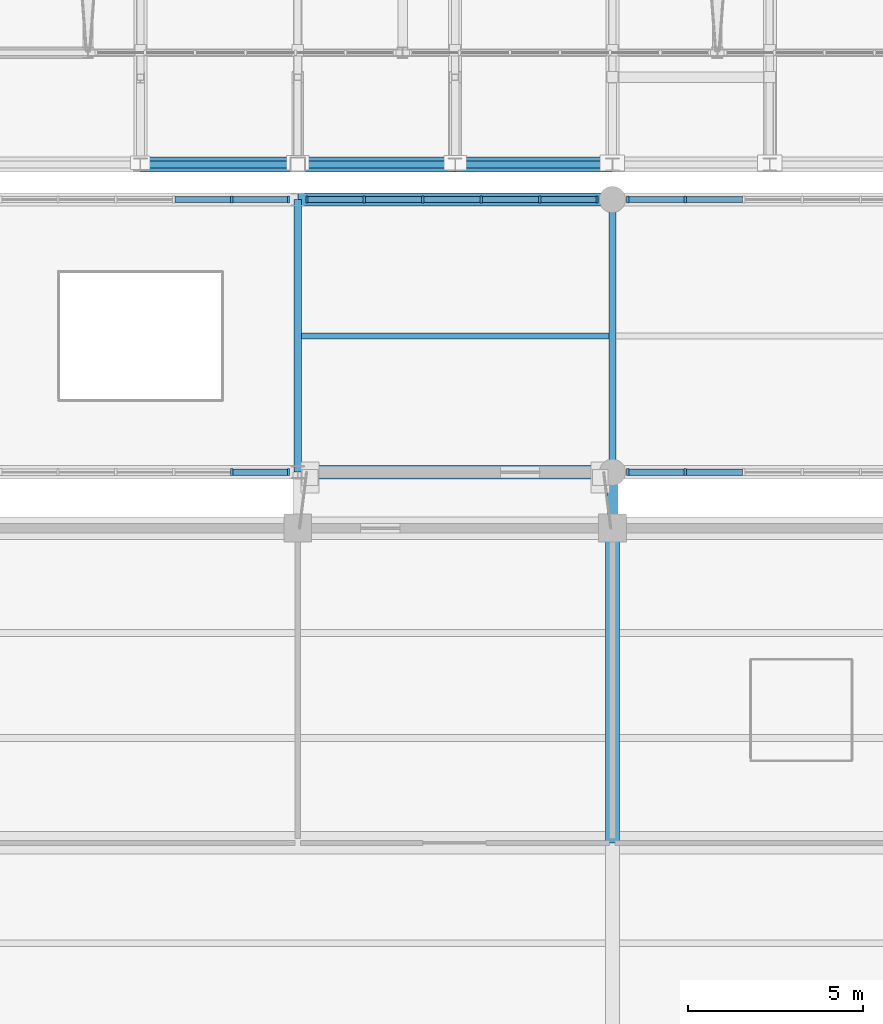
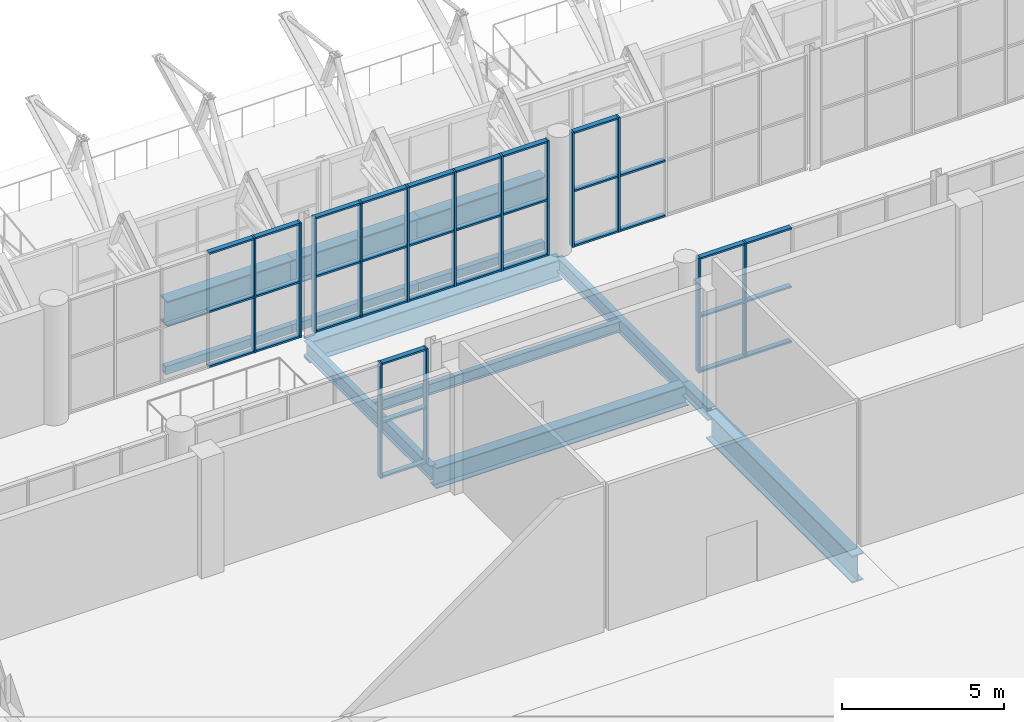
# One storey, part 39 of 134: 49 members, 13 beams, 5 elements without a shape of their own.
"""IFC4 building model written with IfcOpenShell, lengths in metres."""

from ifc_helpers import new_model, si_unit, direction, frame, origin, origin_2d, place, context, subcontext, project, spatial, rectangle, hollow_rectangle, i_section, extrude, material, layer, layer_set, material_profile, profile_set, type_object, element, aggregate, save


model = new_model("IFC4")

# Units and contexts
model_context = context("Model", 3, precision=1e-05, world=origin(), true_north=direction((0.0, 1.0)))
body_context = subcontext(model_context, "Body", "Model", "MODEL_VIEW")
ifc_project = project(units=[si_unit("LENGTHUNIT", "METRE"), si_unit("AREAUNIT", "SQUARE_METRE"), si_unit("VOLUMEUNIT", "CUBIC_METRE"), si_unit("PLANEANGLEUNIT", "RADIAN"), si_unit("MASSUNIT", "GRAM", prefix="KILO")], contexts=[model_context])

# Site, building, storey
site_placement = place(None, origin())
site = spatial("IfcSite", under=ifc_project, at=site_placement, CompositionType="ELEMENT")
building_placement = place(site_placement, origin())
building = spatial("IfcBuilding", under=site, at=building_placement, Name="Cazmaro Siding Exhibition Halls", CompositionType="ELEMENT")
storey_placement = place(building_placement, frame((0.0, 0.0, 12.0)))
storey = spatial("IfcBuildingStorey", under=building, at=storey_placement, Name="L02", CompositionType="ELEMENT", Elevation=12.0)

# Beams
ifc_material_1 = material(Name="Steel ASTM A992 Grade 50", Category="steel")
ifc_material_profile_1 = material_profile(ifc_material_1, i_section(OverallWidth=0.2099609375, OverallDepth=0.535888671875, WebThickness=0.010986328125, FlangeThickness=0.01708984375, at=origin_2d()), Name="W21X68")
ifc_profile_set_1 = profile_set([ifc_material_profile_1], Name="Steel ASTM A992 Grade 50")
beam_type_1 = type_object("IfcBeamType", Name="B-02", PredefinedType="BEAM", material=ifc_profile_set_1)
for number, where, z_axis, x_axis, name in (
    (1, (99.0, 55.199951171875, -0.488037109375), (0.0, 1.0, 0.0), (-1.0, 0.0, 0.0), "Beam B-02 BM-1706"),
    (2, (108.0, 55.199951171875, -0.488037109375), (0.0, 1.0, 0.0), (-1.0, 0.0, 0.0), "Beam B-02 BM-1709"),
):
    element("IfcBeam", number, at=place(storey_placement, frame(where, z_axis=z_axis, x_axis=x_axis)), inside=storey, type_object=beam_type_1, Name=name, PredefinedType="BEAM", context=body_context, shape_type="SweptSolid", body=[
        extrude(i_section(OverallWidth=0.2099609375, OverallDepth=0.535888671875, WebThickness=0.010986328125, FlangeThickness=0.01708984375, at=origin_2d()), origin(), (0.0, 0.0, 1.0), 7.800048828125),
    ])
ifc_material_2 = material(Name="Steel ASTM A992 Grade 50", Category="steel")
ifc_material_profile_2 = material_profile(ifc_material_2, i_section(OverallWidth=0.279052734375, OverallDepth=0.4619140625, WebThickness=0.010986328125, FlangeThickness=0.01708984375, at=origin_2d()), Name="W18X76")
ifc_profile_set_2 = profile_set([ifc_material_profile_2], Name="Steel ASTM A992 Grade 50")
beam_type_2 = type_object("IfcBeamType", Name="B-03", PredefinedType="BEAM", material=ifc_profile_set_2)
beam_1_placement = place(storey_placement, frame((108.0, 53.60009765625, -0.450927734375), z_axis=(0.0, 1.0, 0.0), x_axis=(-1.0, 0.0, 0.0)))
element("IfcBeam", 3, at=beam_1_placement, inside=storey, type_object=beam_type_2, Name="Beam B-03 BM-2529", PredefinedType="BEAM", context=body_context, shape_type="SweptSolid", body=[
    extrude(i_section(OverallWidth=0.279052734375, OverallDepth=0.4619140625, WebThickness=0.010986328125, FlangeThickness=0.01708984375, at=origin_2d()), origin(), (0.0, 0.0, 1.0), 1.599853515625),
])

# Curtain wall, members
ifc_material_3 = material(Name="Anodized Bronze Aluminum and Solar-Control Low-E Glazing", Category="aluminium")
ifc_layer = layer(ifc_material_3, 0.199951171875)
ifc_layer_set = layer_set([ifc_layer], Name="Anodized Bronze Aluminum and Solar-Control Low-E Glazing")
curtain_wall_type = type_object("IfcCurtainWallType", Name="CWS-02", PredefinedType="USERDEFINED", material=ifc_layer_set)
curtain_wall_1_placement = place(storey_placement, origin())
curtain_wall_1 = element("IfcCurtainWall", 4, at=curtain_wall_1_placement, inside=storey, type_object=curtain_wall_type, Name="Glazed Curtain Wall CWS-02 CW-173", ObjectType="GLAZED CURTAIN WALL", PredefinedType="USERDEFINED")
ifc_material_4 = material(Name="Anodized Bronze Extruded Aluminum", Category="aluminium")
ifc_material_profile_3 = material_profile(ifc_material_4, rectangle(XDim=0.199951171875, YDim=0.06494140625, at=origin_2d()), Name="CWM-02")
ifc_profile_set_3 = profile_set([ifc_material_profile_3], Name="Anodized Bronze Extruded Aluminum")
member_type_1 = type_object("IfcMemberType", Name="CWM-02", PredefinedType="MULLION", material=ifc_profile_set_3)
member_1_placement = place(storey_placement, frame((97.112548828125, 55.199951171875, 0.0), z_axis=(0.0, 0.0, 1.0), x_axis=(0.0, 1.0, 0.0)))
member_1 = element("IfcMember", 5, at=member_1_placement, type_object=member_type_1, Name="CWS-02 mullion 5", PredefinedType="MULLION", context=body_context, shape_type="SweptSolid", body=[
    extrude(rectangle(XDim=0.199951171875, YDim=0.06494140625, at=origin_2d()), origin(), (0.0, 0.0, 1.0), 4.324951171875),
])
member_2_placement = place(storey_placement, frame((98.737548828125, 55.199951171875, 0.0), z_axis=(0.0, 0.0, 1.0), x_axis=(0.0, 1.0, 0.0)))
member_2 = element("IfcMember", 6, at=member_2_placement, type_object=member_type_1, Name="CWS-02 mullion 6", PredefinedType="MULLION", context=body_context, shape_type="SweptSolid", body=[
    extrude(rectangle(XDim=0.199951171875, YDim=0.06494140625, at=origin_2d()), origin(), (0.0, 0.0, 1.0), 4.324951171875),
])

curtain_wall_2_placement = place(storey_placement, origin())
curtain_wall_2 = element("IfcCurtainWall", 7, at=curtain_wall_2_placement, inside=storey, type_object=curtain_wall_type, Name="Glazed Curtain Wall CWS-02 CW-175", ObjectType="GLAZED CURTAIN WALL", PredefinedType="USERDEFINED")
member_3_placement = place(storey_placement, frame((98.737548828125, 63.0, 0.0), z_axis=(0.0, 0.0, 1.0), x_axis=(0.0, -1.0, 0.0)))
member_3 = element("IfcMember", 8, at=member_3_placement, type_object=member_type_1, Name="CWS-02 mullion 1", PredefinedType="MULLION", context=body_context, shape_type="SweptSolid", body=[
    extrude(rectangle(XDim=0.199951171875, YDim=0.06494140625, at=origin_2d()), origin(), (0.0, 0.0, 1.0), 4.324951171875),
])
member_4_placement = place(storey_placement, frame((97.112548828125, 63.0, 0.0), z_axis=(0.0, 0.0, 1.0), x_axis=(0.0, -1.0, 0.0)))
member_4 = element("IfcMember", 9, at=member_4_placement, type_object=member_type_1, Name="CWS-02 mullion 2", PredefinedType="MULLION", context=body_context, shape_type="SweptSolid", body=[
    extrude(rectangle(XDim=0.199951171875, YDim=0.06494140625, at=origin_2d()), origin(), (0.0, 0.0, 1.0), 4.324951171875),
])

curtain_wall_3_placement = place(storey_placement, origin())
curtain_wall_3 = element("IfcCurtainWall", 10, at=curtain_wall_3_placement, inside=storey, type_object=curtain_wall_type, Name="Glazed Curtain Wall CWS-02 CW-178", ObjectType="GLAZED CURTAIN WALL", PredefinedType="USERDEFINED")
member_5_placement = place(storey_placement, frame((107.5595703125, 63.0, 0.0), z_axis=(0.0, 0.0, 1.0), x_axis=(0.0, -1.0, 0.0)))
member_5 = element("IfcMember", 11, at=member_5_placement, type_object=member_type_1, Name="CWS-02 mullion 1", PredefinedType="MULLION", context=body_context, shape_type="SweptSolid", body=[
    extrude(rectangle(XDim=0.199951171875, YDim=0.06494140625, at=origin_2d()), origin(), (0.0, 0.0, 1.0), 4.324951171875),
])
member_6_placement = place(storey_placement, frame((105.919677734375, 63.0, 0.0), z_axis=(0.0, 0.0, 1.0), x_axis=(0.0, -1.0, 0.0)))
member_6 = element("IfcMember", 12, at=member_6_placement, type_object=member_type_1, Name="CWS-02 mullion 2", PredefinedType="MULLION", context=body_context, shape_type="SweptSolid", body=[
    extrude(rectangle(XDim=0.199951171875, YDim=0.06494140625, at=origin_2d()), origin(), (0.0, 0.0, 1.0), 4.324951171875),
])
member_7_placement = place(storey_placement, frame((104.247314453125, 63.0, 0.0), z_axis=(0.0, 0.0, 1.0), x_axis=(0.0, -1.0, 0.0)))
member_7 = element("IfcMember", 13, at=member_7_placement, type_object=member_type_1, Name="CWS-02 mullion 3", PredefinedType="MULLION", context=body_context, shape_type="SweptSolid", body=[
    extrude(rectangle(XDim=0.199951171875, YDim=0.06494140625, at=origin_2d()), origin(), (0.0, 0.0, 1.0), 4.324951171875),
])
member_8_placement = place(storey_placement, frame((102.57470703125, 63.0, 0.0), z_axis=(0.0, 0.0, 1.0), x_axis=(0.0, -1.0, 0.0)))
member_8 = element("IfcMember", 14, at=member_8_placement, type_object=member_type_1, Name="CWS-02 mullion 4", PredefinedType="MULLION", context=body_context, shape_type="SweptSolid", body=[
    extrude(rectangle(XDim=0.199951171875, YDim=0.06494140625, at=origin_2d()), origin(), (0.0, 0.0, 1.0), 4.324951171875),
])
member_9_placement = place(storey_placement, frame((100.90234375, 63.0, 0.0), z_axis=(0.0, 0.0, 1.0), x_axis=(0.0, -1.0, 0.0)))
member_9 = element("IfcMember", 15, at=member_9_placement, type_object=member_type_1, Name="CWS-02 mullion 5", PredefinedType="MULLION", context=body_context, shape_type="SweptSolid", body=[
    extrude(rectangle(XDim=0.199951171875, YDim=0.06494140625, at=origin_2d()), origin(), (0.0, 0.0, 1.0), 4.324951171875),
])
member_10_placement = place(storey_placement, frame((99.262451171875, 63.0, 0.0), z_axis=(0.0, 0.0, 1.0), x_axis=(0.0, -1.0, 0.0)))
member_10 = element("IfcMember", 16, at=member_10_placement, type_object=member_type_1, Name="CWS-02 mullion 6", PredefinedType="MULLION", context=body_context, shape_type="SweptSolid", body=[
    extrude(rectangle(XDim=0.199951171875, YDim=0.06494140625, at=origin_2d()), origin(), (0.0, 0.0, 1.0), 4.324951171875),
])

curtain_wall_4_placement = place(storey_placement, origin())
curtain_wall_4 = element("IfcCurtainWall", 17, at=curtain_wall_4_placement, inside=storey, type_object=curtain_wall_type, Name="Glazed Curtain Wall CWS-02 CW-182", ObjectType="GLAZED CURTAIN WALL", PredefinedType="USERDEFINED")
member_11_placement = place(storey_placement, frame((108.4404296875, 55.199951171875, 0.0), z_axis=(0.0, 0.0, 1.0), x_axis=(0.0, 1.0, 0.0)))
member_11 = element("IfcMember", 18, at=member_11_placement, type_object=member_type_1, Name="CWS-02 mullion 1", PredefinedType="MULLION", context=body_context, shape_type="SweptSolid", body=[
    extrude(rectangle(XDim=0.199951171875, YDim=0.06494140625, at=origin_2d()), origin(), (0.0, 0.0, 1.0), 4.324951171875),
])
member_12_placement = place(storey_placement, frame((110.080322265625, 55.199951171875, 0.0), z_axis=(0.0, 0.0, 1.0), x_axis=(0.0, 1.0, 0.0)))
member_12 = element("IfcMember", 19, at=member_12_placement, type_object=member_type_1, Name="CWS-02 mullion 2", PredefinedType="MULLION", context=body_context, shape_type="SweptSolid", body=[
    extrude(rectangle(XDim=0.199951171875, YDim=0.06494140625, at=origin_2d()), origin(), (0.0, 0.0, 1.0), 4.324951171875),
])

curtain_wall_5_placement = place(storey_placement, origin())
curtain_wall_5 = element("IfcCurtainWall", 20, at=curtain_wall_5_placement, inside=storey, type_object=curtain_wall_type, Name="Glazed Curtain Wall CWS-02 CW-184", ObjectType="GLAZED CURTAIN WALL", PredefinedType="USERDEFINED")
member_13_placement = place(storey_placement, frame((110.080322265625, 63.0, 0.0), z_axis=(0.0, 0.0, 1.0), x_axis=(0.0, -1.0, 0.0)))
member_13 = element("IfcMember", 21, at=member_13_placement, type_object=member_type_1, Name="CWS-02 mullion 5", PredefinedType="MULLION", context=body_context, shape_type="SweptSolid", body=[
    extrude(rectangle(XDim=0.199951171875, YDim=0.06494140625, at=origin_2d()), origin(), (0.0, 0.0, 1.0), 4.324951171875),
])
member_14_placement = place(storey_placement, frame((108.4404296875, 63.0, 0.0), z_axis=(0.0, 0.0, 1.0), x_axis=(0.0, -1.0, 0.0)))
member_14 = element("IfcMember", 22, at=member_14_placement, type_object=member_type_1, Name="CWS-02 mullion 6", PredefinedType="MULLION", context=body_context, shape_type="SweptSolid", body=[
    extrude(rectangle(XDim=0.199951171875, YDim=0.06494140625, at=origin_2d()), origin(), (0.0, 0.0, 1.0), 4.324951171875),
])

# Member
ifc_material_5 = material(Name="Anodized Bronze Extruded Aluminum", Category="aluminium")
ifc_material_profile_4 = material_profile(ifc_material_5, rectangle(XDim=0.179931640625, YDim=0.06494140625, at=origin_2d()), Name="CWT-02")
ifc_profile_set_4 = profile_set([ifc_material_profile_4], Name="Anodized Bronze Extruded Aluminum")
member_type_2 = type_object("IfcMemberType", Name="CWT-02", PredefinedType="MULLION", material=ifc_profile_set_4)
member_15_placement = place(storey_placement, frame((97.14501953125, 55.199951171875, 0.032470703125), z_axis=(1.0, 0.0, 0.0), x_axis=(0.0, 1.0, 0.0)))
member_15 = element("IfcMember", 23, at=member_15_placement, type_object=member_type_2, Name="CWS-02 transom 5.1", ObjectType="TRANSOM", PredefinedType="USERDEFINED", context=body_context, shape_type="SweptSolid", body=[
    extrude(rectangle(XDim=0.179931640625, YDim=0.06494140625, at=origin_2d()), origin(), (0.0, 0.0, 1.0), 1.56005859375),
])

member_16_placement = place(storey_placement, frame((97.14501953125, 55.199951171875, 2.10009765625), z_axis=(1.0, 0.0, 0.0), x_axis=(0.0, 1.0, 0.0)))
member_16 = element("IfcMember", 24, at=member_16_placement, type_object=member_type_2, Name="CWS-02 transom 5.2", ObjectType="TRANSOM", PredefinedType="USERDEFINED", context=body_context, shape_type="SweptSolid", body=[
    extrude(rectangle(XDim=0.179931640625, YDim=0.06494140625, at=origin_2d()), origin(), (0.0, 0.0, 1.0), 1.56005859375),
])

member_17_placement = place(storey_placement, frame((97.14501953125, 55.199951171875, 4.29248046875), z_axis=(1.0, 0.0, 0.0), x_axis=(0.0, 1.0, 0.0)))
member_17 = element("IfcMember", 25, at=member_17_placement, type_object=member_type_2, Name="CWS-02 transom 5.3", ObjectType="TRANSOM", PredefinedType="USERDEFINED", context=body_context, shape_type="SweptSolid", body=[
    extrude(rectangle(XDim=0.179931640625, YDim=0.06494140625, at=origin_2d()), origin(), (0.0, 0.0, 1.0), 1.56005859375),
])

aggregate(curtain_wall_1, [member_1, member_2, member_15, member_16, member_17])

member_18_placement = place(storey_placement, frame((98.705078125, 63.0, 0.032470703125), z_axis=(-1.0, 0.0, 0.0), x_axis=(0.0, -1.0, 0.0)))
member_18 = element("IfcMember", 26, at=member_18_placement, type_object=member_type_2, Name="CWS-02 transom 1.1", ObjectType="TRANSOM", PredefinedType="USERDEFINED", context=body_context, shape_type="SweptSolid", body=[
    extrude(rectangle(XDim=0.179931640625, YDim=0.06494140625, at=origin_2d()), origin(), (0.0, 0.0, 1.0), 1.56005859375),
])

member_19_placement = place(storey_placement, frame((98.705078125, 63.0, 2.10009765625), z_axis=(-1.0, 0.0, 0.0), x_axis=(0.0, -1.0, 0.0)))
member_19 = element("IfcMember", 27, at=member_19_placement, type_object=member_type_2, Name="CWS-02 transom 1.2", ObjectType="TRANSOM", PredefinedType="USERDEFINED", context=body_context, shape_type="SweptSolid", body=[
    extrude(rectangle(XDim=0.179931640625, YDim=0.06494140625, at=origin_2d()), origin(), (0.0, 0.0, 1.0), 1.56005859375),
])

member_20_placement = place(storey_placement, frame((98.705078125, 63.0, 4.29248046875), z_axis=(-1.0, 0.0, 0.0), x_axis=(0.0, -1.0, 0.0)))
member_20 = element("IfcMember", 28, at=member_20_placement, type_object=member_type_2, Name="CWS-02 transom 1.3", ObjectType="TRANSOM", PredefinedType="USERDEFINED", context=body_context, shape_type="SweptSolid", body=[
    extrude(rectangle(XDim=0.179931640625, YDim=0.06494140625, at=origin_2d()), origin(), (0.0, 0.0, 1.0), 1.56005859375),
])

member_21_placement = place(storey_placement, frame((97.080078125, 63.0, 0.032470703125), z_axis=(-1.0, 0.0, 0.0), x_axis=(0.0, -1.0, 0.0)))
member_21 = element("IfcMember", 29, at=member_21_placement, type_object=member_type_2, Name="CWS-02 transom 2.1", ObjectType="TRANSOM", PredefinedType="USERDEFINED", context=body_context, shape_type="SweptSolid", body=[
    extrude(rectangle(XDim=0.179931640625, YDim=0.06494140625, at=origin_2d()), origin(), (0.0, 0.0, 1.0), 1.59228515625),
])

member_22_placement = place(storey_placement, frame((97.080078125, 63.0, 2.10009765625), z_axis=(-1.0, 0.0, 0.0), x_axis=(0.0, -1.0, 0.0)))
member_22 = element("IfcMember", 30, at=member_22_placement, type_object=member_type_2, Name="CWS-02 transom 2.2", ObjectType="TRANSOM", PredefinedType="USERDEFINED", context=body_context, shape_type="SweptSolid", body=[
    extrude(rectangle(XDim=0.179931640625, YDim=0.06494140625, at=origin_2d()), origin(), (0.0, 0.0, 1.0), 1.59228515625),
])

member_23_placement = place(storey_placement, frame((97.080078125, 63.0, 4.29248046875), z_axis=(-1.0, 0.0, 0.0), x_axis=(0.0, -1.0, 0.0)))
member_23 = element("IfcMember", 31, at=member_23_placement, type_object=member_type_2, Name="CWS-02 transom 2.3", ObjectType="TRANSOM", PredefinedType="USERDEFINED", context=body_context, shape_type="SweptSolid", body=[
    extrude(rectangle(XDim=0.179931640625, YDim=0.06494140625, at=origin_2d()), origin(), (0.0, 0.0, 1.0), 1.59228515625),
])

aggregate(curtain_wall_2, [member_3, member_4, member_18, member_19, member_20, member_21, member_22, member_23])

member_24_placement = place(storey_placement, frame((107.527099609375, 63.0, 0.032470703125), z_axis=(-1.0, 0.0, 0.0), x_axis=(0.0, -1.0, 0.0)))
member_24 = element("IfcMember", 32, at=member_24_placement, type_object=member_type_2, Name="CWS-02 transom 1.1", ObjectType="TRANSOM", PredefinedType="USERDEFINED", context=body_context, shape_type="SweptSolid", body=[
    extrude(rectangle(XDim=0.179931640625, YDim=0.06494140625, at=origin_2d()), origin(), (0.0, 0.0, 1.0), 1.574951171875),
])

member_25_placement = place(storey_placement, frame((107.527099609375, 63.0, 2.10009765625), z_axis=(-1.0, 0.0, 0.0), x_axis=(0.0, -1.0, 0.0)))
member_25 = element("IfcMember", 33, at=member_25_placement, type_object=member_type_2, Name="CWS-02 transom 1.2", ObjectType="TRANSOM", PredefinedType="USERDEFINED", context=body_context, shape_type="SweptSolid", body=[
    extrude(rectangle(XDim=0.179931640625, YDim=0.06494140625, at=origin_2d()), origin(), (0.0, 0.0, 1.0), 1.574951171875),
])

member_26_placement = place(storey_placement, frame((107.527099609375, 63.0, 4.29248046875), z_axis=(-1.0, 0.0, 0.0), x_axis=(0.0, -1.0, 0.0)))
member_26 = element("IfcMember", 34, at=member_26_placement, type_object=member_type_2, Name="CWS-02 transom 1.3", ObjectType="TRANSOM", PredefinedType="USERDEFINED", context=body_context, shape_type="SweptSolid", body=[
    extrude(rectangle(XDim=0.179931640625, YDim=0.06494140625, at=origin_2d()), origin(), (0.0, 0.0, 1.0), 1.574951171875),
])

member_27_placement = place(storey_placement, frame((105.88720703125, 63.0, 0.032470703125), z_axis=(-1.0, 0.0, 0.0), x_axis=(0.0, -1.0, 0.0)))
member_27 = element("IfcMember", 35, at=member_27_placement, type_object=member_type_2, Name="CWS-02 transom 2.1", ObjectType="TRANSOM", PredefinedType="USERDEFINED", context=body_context, shape_type="SweptSolid", body=[
    extrude(rectangle(XDim=0.179931640625, YDim=0.06494140625, at=origin_2d()), origin(), (0.0, 0.0, 1.0), 1.607421875),
])

member_28_placement = place(storey_placement, frame((105.88720703125, 63.0, 2.10009765625), z_axis=(-1.0, 0.0, 0.0), x_axis=(0.0, -1.0, 0.0)))
member_28 = element("IfcMember", 36, at=member_28_placement, type_object=member_type_2, Name="CWS-02 transom 2.2", ObjectType="TRANSOM", PredefinedType="USERDEFINED", context=body_context, shape_type="SweptSolid", body=[
    extrude(rectangle(XDim=0.179931640625, YDim=0.06494140625, at=origin_2d()), origin(), (0.0, 0.0, 1.0), 1.607421875),
])

member_29_placement = place(storey_placement, frame((105.88720703125, 63.0, 4.29248046875), z_axis=(-1.0, 0.0, 0.0), x_axis=(0.0, -1.0, 0.0)))
member_29 = element("IfcMember", 37, at=member_29_placement, type_object=member_type_2, Name="CWS-02 transom 2.3", ObjectType="TRANSOM", PredefinedType="USERDEFINED", context=body_context, shape_type="SweptSolid", body=[
    extrude(rectangle(XDim=0.179931640625, YDim=0.06494140625, at=origin_2d()), origin(), (0.0, 0.0, 1.0), 1.607421875),
])

member_30_placement = place(storey_placement, frame((104.214599609375, 63.0, 0.032470703125), z_axis=(-1.0, 0.0, 0.0), x_axis=(0.0, -1.0, 0.0)))
member_30 = element("IfcMember", 38, at=member_30_placement, type_object=member_type_2, Name="CWS-02 transom 3.1", ObjectType="TRANSOM", PredefinedType="USERDEFINED", context=body_context, shape_type="SweptSolid", body=[
    extrude(rectangle(XDim=0.179931640625, YDim=0.06494140625, at=origin_2d()), origin(), (0.0, 0.0, 1.0), 1.607177734375),
])

member_31_placement = place(storey_placement, frame((104.214599609375, 63.0, 2.10009765625), z_axis=(-1.0, 0.0, 0.0), x_axis=(0.0, -1.0, 0.0)))
member_31 = element("IfcMember", 39, at=member_31_placement, type_object=member_type_2, Name="CWS-02 transom 3.2", ObjectType="TRANSOM", PredefinedType="USERDEFINED", context=body_context, shape_type="SweptSolid", body=[
    extrude(rectangle(XDim=0.179931640625, YDim=0.06494140625, at=origin_2d()), origin(), (0.0, 0.0, 1.0), 1.607177734375),
])

member_32_placement = place(storey_placement, frame((104.214599609375, 63.0, 4.29248046875), z_axis=(-1.0, 0.0, 0.0), x_axis=(0.0, -1.0, 0.0)))
member_32 = element("IfcMember", 40, at=member_32_placement, type_object=member_type_2, Name="CWS-02 transom 3.3", ObjectType="TRANSOM", PredefinedType="USERDEFINED", context=body_context, shape_type="SweptSolid", body=[
    extrude(rectangle(XDim=0.179931640625, YDim=0.06494140625, at=origin_2d()), origin(), (0.0, 0.0, 1.0), 1.607177734375),
])

member_33_placement = place(storey_placement, frame((102.542236328125, 63.0, 0.032470703125), z_axis=(-1.0, 0.0, 0.0), x_axis=(0.0, -1.0, 0.0)))
member_33 = element("IfcMember", 41, at=member_33_placement, type_object=member_type_2, Name="CWS-02 transom 4.1", ObjectType="TRANSOM", PredefinedType="USERDEFINED", context=body_context, shape_type="SweptSolid", body=[
    extrude(rectangle(XDim=0.179931640625, YDim=0.06494140625, at=origin_2d()), origin(), (0.0, 0.0, 1.0), 1.607421875),
])

member_34_placement = place(storey_placement, frame((102.542236328125, 63.0, 2.10009765625), z_axis=(-1.0, 0.0, 0.0), x_axis=(0.0, -1.0, 0.0)))
member_34 = element("IfcMember", 42, at=member_34_placement, type_object=member_type_2, Name="CWS-02 transom 4.2", ObjectType="TRANSOM", PredefinedType="USERDEFINED", context=body_context, shape_type="SweptSolid", body=[
    extrude(rectangle(XDim=0.179931640625, YDim=0.06494140625, at=origin_2d()), origin(), (0.0, 0.0, 1.0), 1.607421875),
])

member_35_placement = place(storey_placement, frame((102.542236328125, 63.0, 4.29248046875), z_axis=(-1.0, 0.0, 0.0), x_axis=(0.0, -1.0, 0.0)))
member_35 = element("IfcMember", 43, at=member_35_placement, type_object=member_type_2, Name="CWS-02 transom 4.3", ObjectType="TRANSOM", PredefinedType="USERDEFINED", context=body_context, shape_type="SweptSolid", body=[
    extrude(rectangle(XDim=0.179931640625, YDim=0.06494140625, at=origin_2d()), origin(), (0.0, 0.0, 1.0), 1.607421875),
])

member_36_placement = place(storey_placement, frame((100.869873046875, 63.0, 0.032470703125), z_axis=(-1.0, 0.0, 0.0), x_axis=(0.0, -1.0, 0.0)))
member_36 = element("IfcMember", 44, at=member_36_placement, type_object=member_type_2, Name="CWS-02 transom 5.1", ObjectType="TRANSOM", PredefinedType="USERDEFINED", context=body_context, shape_type="SweptSolid", body=[
    extrude(rectangle(XDim=0.179931640625, YDim=0.06494140625, at=origin_2d()), origin(), (0.0, 0.0, 1.0), 1.574951171875),
])

member_37_placement = place(storey_placement, frame((100.869873046875, 63.0, 2.10009765625), z_axis=(-1.0, 0.0, 0.0), x_axis=(0.0, -1.0, 0.0)))
member_37 = element("IfcMember", 45, at=member_37_placement, type_object=member_type_2, Name="CWS-02 transom 5.2", ObjectType="TRANSOM", PredefinedType="USERDEFINED", context=body_context, shape_type="SweptSolid", body=[
    extrude(rectangle(XDim=0.179931640625, YDim=0.06494140625, at=origin_2d()), origin(), (0.0, 0.0, 1.0), 1.574951171875),
])

member_38_placement = place(storey_placement, frame((100.869873046875, 63.0, 4.29248046875), z_axis=(-1.0, 0.0, 0.0), x_axis=(0.0, -1.0, 0.0)))
member_38 = element("IfcMember", 46, at=member_38_placement, type_object=member_type_2, Name="CWS-02 transom 5.3", ObjectType="TRANSOM", PredefinedType="USERDEFINED", context=body_context, shape_type="SweptSolid", body=[
    extrude(rectangle(XDim=0.179931640625, YDim=0.06494140625, at=origin_2d()), origin(), (0.0, 0.0, 1.0), 1.574951171875),
])

aggregate(curtain_wall_3, [member_5, member_6, member_7, member_8, member_9, member_10, member_24, member_25, member_26, member_27, member_28, member_29, member_30, member_31, member_32, member_33, member_34, member_35, member_36, member_37, member_38])

member_39_placement = place(storey_placement, frame((108.472900390625, 55.199951171875, 0.032470703125), z_axis=(1.0, 0.0, 0.0), x_axis=(0.0, 1.0, 0.0)))
member_39 = element("IfcMember", 47, at=member_39_placement, type_object=member_type_2, Name="CWS-02 transom 1.1", ObjectType="TRANSOM", PredefinedType="USERDEFINED", context=body_context, shape_type="SweptSolid", body=[
    extrude(rectangle(XDim=0.179931640625, YDim=0.06494140625, at=origin_2d()), origin(), (0.0, 0.0, 1.0), 1.574951171875),
])

member_40_placement = place(storey_placement, frame((108.472900390625, 55.199951171875, 2.10009765625), z_axis=(1.0, 0.0, 0.0), x_axis=(0.0, 1.0, 0.0)))
member_40 = element("IfcMember", 48, at=member_40_placement, type_object=member_type_2, Name="CWS-02 transom 1.2", ObjectType="TRANSOM", PredefinedType="USERDEFINED", context=body_context, shape_type="SweptSolid", body=[
    extrude(rectangle(XDim=0.179931640625, YDim=0.06494140625, at=origin_2d()), origin(), (0.0, 0.0, 1.0), 1.574951171875),
])

member_41_placement = place(storey_placement, frame((108.472900390625, 55.199951171875, 4.29248046875), z_axis=(1.0, 0.0, 0.0), x_axis=(0.0, 1.0, 0.0)))
member_41 = element("IfcMember", 49, at=member_41_placement, type_object=member_type_2, Name="CWS-02 transom 1.3", ObjectType="TRANSOM", PredefinedType="USERDEFINED", context=body_context, shape_type="SweptSolid", body=[
    extrude(rectangle(XDim=0.179931640625, YDim=0.06494140625, at=origin_2d()), origin(), (0.0, 0.0, 1.0), 1.574951171875),
])

member_42_placement = place(storey_placement, frame((110.11279296875, 55.199951171875, 0.032470703125), z_axis=(1.0, 0.0, 0.0), x_axis=(0.0, 1.0, 0.0)))
member_42 = element("IfcMember", 50, at=member_42_placement, type_object=member_type_2, Name="CWS-02 transom 2.1", ObjectType="TRANSOM", PredefinedType="USERDEFINED", context=body_context, shape_type="SweptSolid", body=[
    extrude(rectangle(XDim=0.179931640625, YDim=0.06494140625, at=origin_2d()), origin(), (0.0, 0.0, 1.0), 1.607421875),
])

member_43_placement = place(storey_placement, frame((110.11279296875, 55.199951171875, 2.10009765625), z_axis=(1.0, 0.0, 0.0), x_axis=(0.0, 1.0, 0.0)))
member_43 = element("IfcMember", 51, at=member_43_placement, type_object=member_type_2, Name="CWS-02 transom 2.2", ObjectType="TRANSOM", PredefinedType="USERDEFINED", context=body_context, shape_type="SweptSolid", body=[
    extrude(rectangle(XDim=0.179931640625, YDim=0.06494140625, at=origin_2d()), origin(), (0.0, 0.0, 1.0), 1.607421875),
])

member_44_placement = place(storey_placement, frame((110.11279296875, 55.199951171875, 4.29248046875), z_axis=(1.0, 0.0, 0.0), x_axis=(0.0, 1.0, 0.0)))
member_44 = element("IfcMember", 52, at=member_44_placement, type_object=member_type_2, Name="CWS-02 transom 2.3", ObjectType="TRANSOM", PredefinedType="USERDEFINED", context=body_context, shape_type="SweptSolid", body=[
    extrude(rectangle(XDim=0.179931640625, YDim=0.06494140625, at=origin_2d()), origin(), (0.0, 0.0, 1.0), 1.607421875),
])

aggregate(curtain_wall_4, [member_11, member_12, member_39, member_40, member_41, member_42, member_43, member_44])

member_45_placement = place(storey_placement, frame((111.72021484375, 63.0, 0.032470703125), z_axis=(-1.0, 0.0, 0.0), x_axis=(0.0, -1.0, 0.0)))
member_45 = element("IfcMember", 53, at=member_45_placement, type_object=member_type_2, Name="CWS-02 transom 4.1", ObjectType="TRANSOM", PredefinedType="USERDEFINED", context=body_context, shape_type="SweptSolid", body=[
    extrude(rectangle(XDim=0.179931640625, YDim=0.06494140625, at=origin_2d()), origin(), (0.0, 0.0, 1.0), 1.607421875),
])

member_46_placement = place(storey_placement, frame((111.72021484375, 63.0, 2.10009765625), z_axis=(-1.0, 0.0, 0.0), x_axis=(0.0, -1.0, 0.0)))
member_46 = element("IfcMember", 54, at=member_46_placement, type_object=member_type_2, Name="CWS-02 transom 4.2", ObjectType="TRANSOM", PredefinedType="USERDEFINED", context=body_context, shape_type="SweptSolid", body=[
    extrude(rectangle(XDim=0.179931640625, YDim=0.06494140625, at=origin_2d()), origin(), (0.0, 0.0, 1.0), 1.607421875),
])

member_47_placement = place(storey_placement, frame((110.0478515625, 63.0, 0.032470703125), z_axis=(-1.0, 0.0, 0.0), x_axis=(0.0, -1.0, 0.0)))
member_47 = element("IfcMember", 55, at=member_47_placement, type_object=member_type_2, Name="CWS-02 transom 5.1", ObjectType="TRANSOM", PredefinedType="USERDEFINED", context=body_context, shape_type="SweptSolid", body=[
    extrude(rectangle(XDim=0.179931640625, YDim=0.06494140625, at=origin_2d()), origin(), (0.0, 0.0, 1.0), 1.574951171875),
])

member_48_placement = place(storey_placement, frame((110.0478515625, 63.0, 2.10009765625), z_axis=(-1.0, 0.0, 0.0), x_axis=(0.0, -1.0, 0.0)))
member_48 = element("IfcMember", 56, at=member_48_placement, type_object=member_type_2, Name="CWS-02 transom 5.2", ObjectType="TRANSOM", PredefinedType="USERDEFINED", context=body_context, shape_type="SweptSolid", body=[
    extrude(rectangle(XDim=0.179931640625, YDim=0.06494140625, at=origin_2d()), origin(), (0.0, 0.0, 1.0), 1.574951171875),
])

member_49_placement = place(storey_placement, frame((110.0478515625, 63.0, 4.29248046875), z_axis=(-1.0, 0.0, 0.0), x_axis=(0.0, -1.0, 0.0)))
member_49 = element("IfcMember", 57, at=member_49_placement, type_object=member_type_2, Name="CWS-02 transom 5.3", ObjectType="TRANSOM", PredefinedType="USERDEFINED", context=body_context, shape_type="SweptSolid", body=[
    extrude(rectangle(XDim=0.179931640625, YDim=0.06494140625, at=origin_2d()), origin(), (0.0, 0.0, 1.0), 1.574951171875),
])

aggregate(curtain_wall_5, [member_13, member_14, member_45, member_46, member_47, member_48, member_49])

# Beams
ifc_material_6 = material(Name="Steel ASTM A992 Grade 50", Category="steel")
ifc_material_profile_5 = material_profile(ifc_material_6, i_section(OverallWidth=0.424072265625, OverallDepth=0.947021484375, WebThickness=0.02392578125, FlangeThickness=0.04296875, at=origin_2d()), Name="W36X302")
ifc_profile_set_5 = profile_set([ifc_material_profile_5], Name="Steel ASTM A992 Grade 50")
beam_type_3 = type_object("IfcBeamType", Name="G-01", PredefinedType="USERDEFINED", material=ifc_profile_set_5)
for number, where, z_axis, x_axis, name in (
    (58, (94.5, 64.0, 1.826904296875), (1.0, 0.0, 0.0), (0.0, 1.0, 0.0), "Beam G-01 BM-0129"),
    (59, (99.0, 64.0, 1.826904296875), (1.0, 0.0, 0.0), (0.0, 1.0, 0.0), "Beam G-01 BM-0135"),
    (60, (103.5, 64.0, 1.826904296875), (1.0, 0.0, 0.0), (0.0, 1.0, 0.0), "Beam G-01 BM-0141"),
):
    element("IfcBeam", number, at=place(storey_placement, frame(where, z_axis=z_axis, x_axis=x_axis)), inside=storey, type_object=beam_type_3, Name=name, ObjectType="GIRDER", PredefinedType="USERDEFINED", context=body_context, shape_type="SweptSolid", body=[
        extrude(i_section(OverallWidth=0.424072265625, OverallDepth=0.947021484375, WebThickness=0.02392578125, FlangeThickness=0.04296875, at=origin_2d()), origin(), (0.0, 0.0, 1.0), 4.5),
    ])
ifc_material_7 = material(Name="Steel ASTM A992 Grade 50", Category="steel")
ifc_material_profile_6 = material_profile(ifc_material_7, i_section(OverallWidth=0.381103515625, OverallDepth=0.779052734375, WebThickness=0.01806640625, FlangeThickness=0.030029296875, at=origin_2d()), Name="W30X191")
ifc_profile_set_6 = profile_set([ifc_material_profile_6], Name="Steel ASTM A992 Grade 50")
beam_type_4 = type_object("IfcBeamType", Name="G-04", PredefinedType="USERDEFINED", material=ifc_profile_set_6)
for number, where, z_axis, x_axis, name in (
    (61, (99.0, 55.199951171875, -0.610107421875), (1.0, 0.0, 0.0), (0.0, 1.0, 0.0), "Beam G-04 BM-1629"),
    (62, (99.0, 63.0, -0.610107421875), (1.0, 0.0, 0.0), (0.0, 1.0, 0.0), "Beam G-04 BM-1630"),
):
    element("IfcBeam", number, at=place(storey_placement, frame(where, z_axis=z_axis, x_axis=x_axis)), inside=storey, type_object=beam_type_4, Name=name, ObjectType="GIRDER", PredefinedType="USERDEFINED", context=body_context, shape_type="SweptSolid", body=[
        extrude(i_section(OverallWidth=0.381103515625, OverallDepth=0.779052734375, WebThickness=0.01806640625, FlangeThickness=0.030029296875, at=origin_2d()), origin(), (0.0, 0.0, 1.0), 9.0),
    ])
ifc_material_8 = material(Name="Steel ASTM A992 Grade 50", Category="steel")
ifc_material_profile_7 = material_profile(ifc_material_8, i_section(OverallWidth=0.404052734375, OverallDepth=1.02099609375, WebThickness=0.02490234375, FlangeThickness=0.0458984375, at=origin_2d()), Name="W40X324")
ifc_profile_set_7 = profile_set([ifc_material_profile_7], Name="Steel ASTM A992 Grade 50")
beam_type_5 = type_object("IfcBeamType", Name="G-06", PredefinedType="USERDEFINED", material=ifc_profile_set_7)
beam_2_placement = place(storey_placement, frame((108.0, 44.60009765625, -0.81103515625), z_axis=(0.0, 1.0, 0.0), x_axis=(-1.0, 0.0, 0.0)))
element("IfcBeam", 63, at=beam_2_placement, inside=storey, type_object=beam_type_5, Name="Beam G-06 BM-1450", ObjectType="GIRDER", PredefinedType="USERDEFINED", context=body_context, shape_type="SweptSolid", body=[
    extrude(i_section(OverallWidth=0.404052734375, OverallDepth=1.02099609375, WebThickness=0.02490234375, FlangeThickness=0.0458984375, at=origin_2d()), origin(), (0.0, 0.0, 1.0), 9.0),
])
ifc_material_9 = material(Name="Steel ASTM A992 Grade 50", Category="steel")
ifc_material_profile_8 = material_profile(ifc_material_9, i_section(OverallWidth=0.177978515625, OverallDepth=0.406005859375, WebThickness=0.008056640625, FlangeThickness=0.012939453125, at=origin_2d()), Name="W16X40")
ifc_profile_set_8 = profile_set([ifc_material_profile_8], Name="Steel ASTM A992 Grade 50")
beam_type_6 = type_object("IfcBeamType", Name="J-02", PredefinedType="JOIST", material=ifc_profile_set_8)
beam_3_placement = place(storey_placement, frame((99.10498046875, 59.10009765625, -0.423095703125), z_axis=(1.0, 0.0, 0.0), x_axis=(0.0, 1.0, 0.0)))
element("IfcBeam", 64, at=beam_3_placement, inside=storey, type_object=beam_type_6, Name="Beam J-02 BM-1631", PredefinedType="JOIST", context=body_context, shape_type="SweptSolid", body=[
    extrude(i_section(OverallWidth=0.177978515625, OverallDepth=0.406005859375, WebThickness=0.008056640625, FlangeThickness=0.012939453125, at=origin_2d()), origin(), (0.0, 0.0, 1.0), 8.7900390625),
])
ifc_material_10 = material(Name="Steel ASTM A500 Grade C", Category="steel")
ifc_material_profile_9 = material_profile(ifc_material_10, hollow_rectangle(XDim=0.202880859375, YDim=0.304931640625, WallThickness=0.011962890625, at=origin_2d()), Name="HSS12X8X1/2")
ifc_profile_set_9 = profile_set([ifc_material_profile_9], Name="Steel ASTM A500 Grade C")
beam_type_7 = type_object("IfcBeamType", Name="SP-01", PredefinedType="SPANDREL", material=ifc_profile_set_9)
for number, where, z_axis, x_axis, name in (
    (65, (94.5, 64.0, -0.373046875), (1.0, 0.0, 0.0), (0.0, 1.0, 0.0), "Beam SP-01 BM-0128"),
    (66, (99.0, 64.0, -0.373046875), (1.0, 0.0, 0.0), (0.0, 1.0, 0.0), "Beam SP-01 BM-0134"),
    (67, (103.5, 64.0, -0.373046875), (1.0, 0.0, 0.0), (0.0, 1.0, 0.0), "Beam SP-01 BM-0140"),
):
    element("IfcBeam", number, at=place(storey_placement, frame(where, z_axis=z_axis, x_axis=x_axis)), inside=storey, type_object=beam_type_7, Name=name, PredefinedType="SPANDREL", context=body_context, shape_type="SweptSolid", body=[
        extrude(hollow_rectangle(XDim=0.202880859375, YDim=0.304931640625, WallThickness=0.011962890625, at=origin_2d()), origin(), (0.0, 0.0, 1.0), 4.5),
    ])

save(model, "model.ifc")
